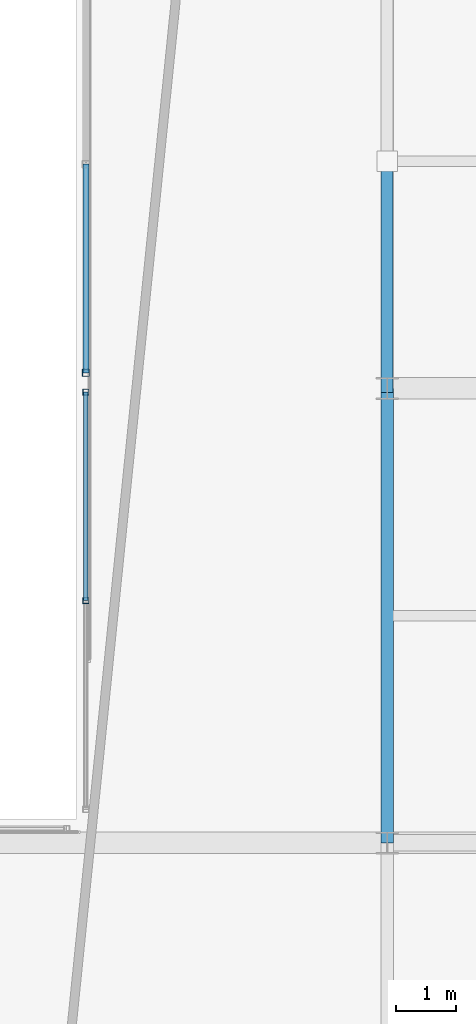
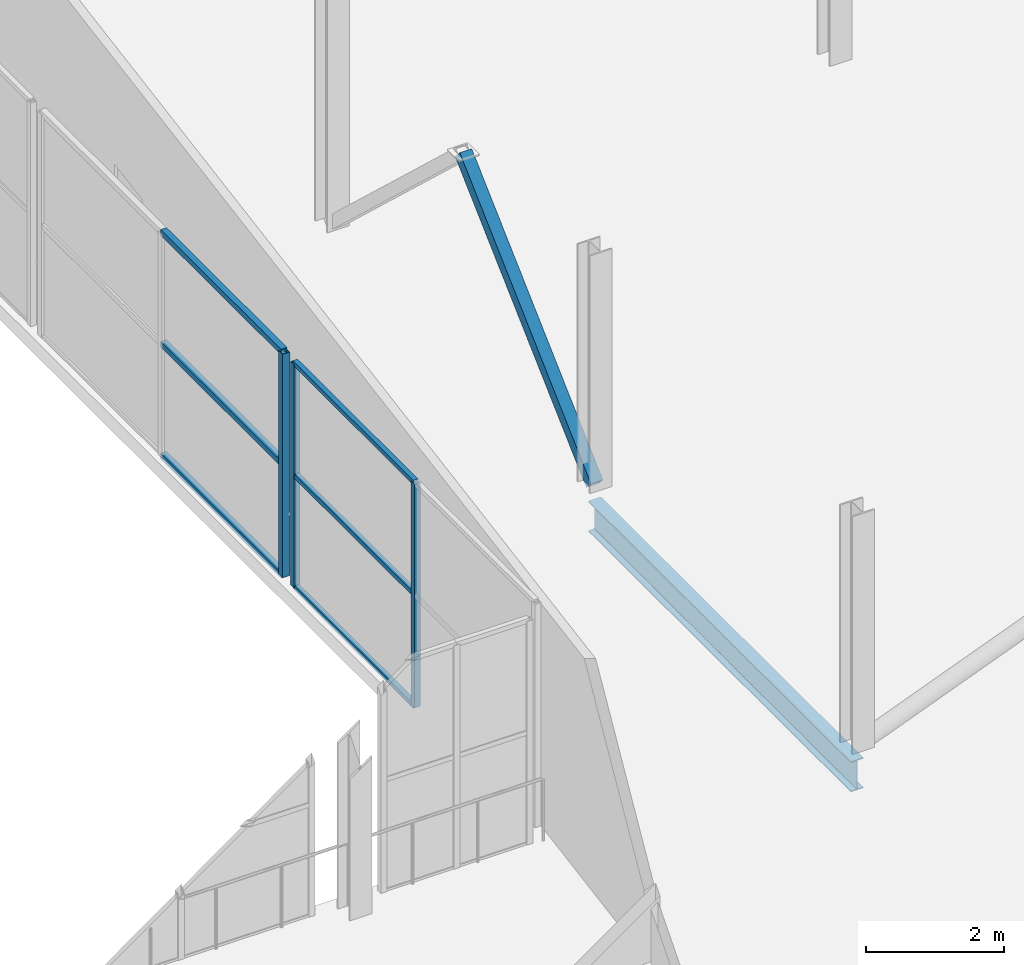
# One storey, part 145 of 217: 10 members, 1 beam, 2 elements without a shape of their own.
"""IFC4 building model written with IfcOpenShell, lengths in metres."""

from ifc_helpers import new_model, si_unit, direction, frame, origin, origin_2d, place, context, subcontext, project, spatial, hollow_rectangle, i_section, extrude, material, material_profile, profile_set, type_object, element, aggregate, save


model = new_model("IFC4")

# Units and contexts
model_context = context("Model", 3, precision=1e-05, world=origin(), true_north=direction((0.0, 1.0)))
body_context = subcontext(model_context, "Body", "Model", "MODEL_VIEW")
ifc_project = project(units=[si_unit("LENGTHUNIT", "METRE"), si_unit("AREAUNIT", "SQUARE_METRE"), si_unit("VOLUMEUNIT", "CUBIC_METRE"), si_unit("PLANEANGLEUNIT", "RADIAN"), si_unit("MASSUNIT", "GRAM", prefix="KILO")], contexts=[model_context])

# Site, building, storey
site_placement = place(None, origin())
site = spatial("IfcSite", under=ifc_project, at=site_placement, CompositionType="ELEMENT")
building_placement = place(site_placement, origin())
building = spatial("IfcBuilding", under=site, at=building_placement, Name="Zuvorla Pavilion Media Centre", CompositionType="ELEMENT")
storey_placement = place(building_placement, frame((0.0, 0.0, 9.60009765625)))
storey = spatial("IfcBuildingStorey", under=building, at=storey_placement, Name="L02", CompositionType="ELEMENT", Elevation=9.60009765625)

# Beam
ifc_material_1 = material(Name="Steel S355", Category="steel")
ifc_material_profile_1 = material_profile(ifc_material_1, i_section(OverallWidth=0.2099609375, OverallDepth=0.53662109375, WebThickness=0.0107421875, FlangeThickness=0.017333984375, FilletRadius=0.0126953125, at=origin_2d()), Name="UB 533x210x101")
ifc_profile_set_1 = profile_set([ifc_material_profile_1], Name="Steel S355")
beam_type = type_object("IfcBeamType", Name="BM-UB533", PredefinedType="BEAM", material=ifc_profile_set_1)
beam_placement = place(storey_placement, frame((159.199951171875, 51.60009765625, -0.536376953125), z_axis=(0.0, 1.0, 0.0), x_axis=(-1.0, 0.0, 0.0)))
element("IfcBeam", 1, at=beam_placement, inside=storey, type_object=beam_type, Name="L02 beam B08 972", PredefinedType="BEAM", context=body_context, shape_type="SweptSolid", body=[
    extrude(i_section(OverallWidth=0.2099609375, OverallDepth=0.53662109375, WebThickness=0.0107421875, FlangeThickness=0.017333984375, FilletRadius=0.0126953125, at=origin_2d()), origin(), (0.0, 0.0, 1.0), 7.599853515625),
])

# Curtain wall, members
ifc_material_2 = material(Name="Unitised anodised aluminium and solar glass curtain wall", Category="aluminium")
curtain_wall_type_1 = type_object("IfcCurtainWallType", Name="CW-SYS-24", PredefinedType="USERDEFINED", material=ifc_material_2)
curtain_wall_1_placement = place(storey_placement, origin())
curtain_wall_1 = element("IfcCurtainWall", 2, at=curtain_wall_1_placement, inside=storey, type_object=curtain_wall_type_1, Name="L02 curtain wall CW24 88", ObjectType="CURTAIN WALL", PredefinedType="USERDEFINED")
ifc_material_3 = material(Name="Anodised aluminium 6063-T6", Category="aluminium")
ifc_material_profile_2 = material_profile(ifc_material_3, hollow_rectangle(XDim=0.10009765625, YDim=0.10009765625, WallThickness=0.00439453125, at=origin_2d()), Name="ALU MULL 100x100")
ifc_profile_set_2 = profile_set([ifc_material_profile_2], Name="Anodised aluminium 6063-T6")
member_type_1 = type_object("IfcMemberType", Name="CW-MULL-100", PredefinedType="MULLION", material=ifc_profile_set_2)
member_1_placement = place(storey_placement, frame((154.159912109375, 55.64990234375, 0.0), z_axis=(0.0, 0.0, 1.0), x_axis=(1.0, 0.0, 0.0)))
member_1 = element("IfcMember", 3, at=member_1_placement, type_object=member_type_1, Name="CW24 mullion 2", PredefinedType="MULLION", context=body_context, shape_type="SweptSolid", body=[
    extrude(hollow_rectangle(XDim=0.10009765625, YDim=0.10009765625, WallThickness=0.00439453125, at=origin_2d()), origin(), (0.0, 0.0, 1.0), 3.949951171875),
])
member_2_placement = place(storey_placement, frame((154.159912109375, 59.139892578125, 0.0), z_axis=(0.0, 0.0, 1.0), x_axis=(1.0, 0.0, 0.0)))
member_2 = element("IfcMember", 4, at=member_2_placement, type_object=member_type_1, Name="CW24 mullion 3", PredefinedType="MULLION", context=body_context, shape_type="SweptSolid", body=[
    extrude(hollow_rectangle(XDim=0.10009765625, YDim=0.10009765625, WallThickness=0.00439453125, at=origin_2d()), origin(), (0.0, 0.0, 1.0), 3.949951171875),
])

curtain_wall_type_2 = type_object("IfcCurtainWallType", Name="CW-SYS-58", PredefinedType="USERDEFINED", material=ifc_material_2)
curtain_wall_2_placement = place(storey_placement, origin())
curtain_wall_2 = element("IfcCurtainWall", 5, at=curtain_wall_2_placement, inside=storey, type_object=curtain_wall_type_2, Name="L02 curtain wall CW58 90", ObjectType="CURTAIN WALL", PredefinedType="USERDEFINED")
ifc_material_profile_3 = material_profile(ifc_material_3, hollow_rectangle(XDim=0.1201171875, YDim=0.1201171875, WallThickness=0.0048828125, at=origin_2d()), Name="ALU MULL 120x120")
ifc_profile_set_3 = profile_set([ifc_material_profile_3], Name="Anodised aluminium 6063-T6")
member_type_2 = type_object("IfcMemberType", Name="CW-MULL-120", PredefinedType="MULLION", material=ifc_profile_set_3)
member_3_placement = place(storey_placement, frame((154.159912109375, 59.4599609375, 0.0), z_axis=(0.0, 0.0, 1.0), x_axis=(1.0, 0.0, 0.0)))
member_3 = element("IfcMember", 6, at=member_3_placement, type_object=member_type_2, Name="CW58 mullion 1", PredefinedType="MULLION", context=body_context, shape_type="SweptSolid", body=[
    extrude(hollow_rectangle(XDim=0.1201171875, YDim=0.1201171875, WallThickness=0.0048828125, at=origin_2d()), origin(), (0.0, 0.0, 1.0), 3.949951171875),
])
ifc_material_profile_4 = material_profile(ifc_material_3, hollow_rectangle(XDim=0.10009765625, YDim=0.10009765625, WallThickness=0.00439453125, at=origin_2d()), Name="ALU TRAN 100x100")
ifc_profile_set_4 = profile_set([ifc_material_profile_4], Name="Anodised aluminium 6063-T6")
member_type_3 = type_object("IfcMemberType", Name="CW-TRAN-100", PredefinedType="USERDEFINED", material=ifc_profile_set_4)
member_4_placement = place(storey_placement, frame((154.159912109375, 59.4599609375, 0.0), z_axis=(0.0, 1.0, 0.0), x_axis=(-1.0, 0.0, 0.0)))
member_4 = element("IfcMember", 7, at=member_4_placement, type_object=member_type_3, Name="CW58 transom 1.1", ObjectType="TRANSOM", PredefinedType="USERDEFINED", context=body_context, shape_type="SweptSolid", body=[
    extrude(hollow_rectangle(XDim=0.10009765625, YDim=0.10009765625, WallThickness=0.00439453125, at=origin_2d()), origin(), (0.0, 0.0, 1.0), 3.489990234375),
])
member_5_placement = place(storey_placement, frame((154.159912109375, 59.4599609375, 1.974853515625), z_axis=(0.0, 1.0, 0.0), x_axis=(-1.0, 0.0, 0.0)))
member_5 = element("IfcMember", 8, at=member_5_placement, type_object=member_type_3, Name="CW58 transom 1.2", ObjectType="TRANSOM", PredefinedType="USERDEFINED", context=body_context, shape_type="SweptSolid", body=[
    extrude(hollow_rectangle(XDim=0.10009765625, YDim=0.10009765625, WallThickness=0.00439453125, at=origin_2d()), origin(), (0.0, 0.0, 1.0), 3.489990234375),
])
member_6_placement = place(storey_placement, frame((154.159912109375, 59.4599609375, 3.949951171875), z_axis=(0.0, 1.0, 0.0), x_axis=(-1.0, 0.0, 0.0)))
member_6 = element("IfcMember", 9, at=member_6_placement, type_object=member_type_3, Name="CW58 transom 1.3", ObjectType="TRANSOM", PredefinedType="USERDEFINED", context=body_context, shape_type="SweptSolid", body=[
    extrude(hollow_rectangle(XDim=0.10009765625, YDim=0.10009765625, WallThickness=0.00439453125, at=origin_2d()), origin(), (0.0, 0.0, 1.0), 3.489990234375),
])
aggregate(curtain_wall_2, [member_3, member_4, member_5, member_6])

# Member
ifc_material_profile_5 = material_profile(ifc_material_3, hollow_rectangle(XDim=0.080078125, YDim=0.080078125, WallThickness=0.00390625, at=origin_2d()), Name="ALU TRAN 80x80")
ifc_profile_set_5 = profile_set([ifc_material_profile_5], Name="Anodised aluminium 6063-T6")
member_type_4 = type_object("IfcMemberType", Name="CW-TRAN-80", PredefinedType="USERDEFINED", material=ifc_profile_set_5)
member_7_placement = place(storey_placement, frame((154.159912109375, 55.64990234375, 0.0), z_axis=(0.0, 1.0, 0.0), x_axis=(-1.0, 0.0, 0.0)))
member_7 = element("IfcMember", 10, at=member_7_placement, type_object=member_type_4, Name="CW24 transom 2.1", ObjectType="TRANSOM", PredefinedType="USERDEFINED", context=body_context, shape_type="SweptSolid", body=[
    extrude(hollow_rectangle(XDim=0.080078125, YDim=0.080078125, WallThickness=0.00390625, at=origin_2d()), origin(), (0.0, 0.0, 1.0), 3.489990234375),
])

member_8_placement = place(storey_placement, frame((154.159912109375, 55.64990234375, 1.974853515625), z_axis=(0.0, 1.0, 0.0), x_axis=(-1.0, 0.0, 0.0)))
member_8 = element("IfcMember", 11, at=member_8_placement, type_object=member_type_4, Name="CW24 transom 2.2", ObjectType="TRANSOM", PredefinedType="USERDEFINED", context=body_context, shape_type="SweptSolid", body=[
    extrude(hollow_rectangle(XDim=0.080078125, YDim=0.080078125, WallThickness=0.00390625, at=origin_2d()), origin(), (0.0, 0.0, 1.0), 3.489990234375),
])

member_9_placement = place(storey_placement, frame((154.159912109375, 55.64990234375, 3.949951171875), z_axis=(0.0, 1.0, 0.0), x_axis=(-1.0, 0.0, 0.0)))
member_9 = element("IfcMember", 12, at=member_9_placement, type_object=member_type_4, Name="CW24 transom 2.3", ObjectType="TRANSOM", PredefinedType="USERDEFINED", context=body_context, shape_type="SweptSolid", body=[
    extrude(hollow_rectangle(XDim=0.080078125, YDim=0.080078125, WallThickness=0.00390625, at=origin_2d()), origin(), (0.0, 0.0, 1.0), 3.489990234375),
])

aggregate(curtain_wall_1, [member_1, member_2, member_7, member_8, member_9])

ifc_material_profile_6 = material_profile(ifc_material_1, hollow_rectangle(XDim=0.199951171875, YDim=0.199951171875, WallThickness=0.010009765625, at=origin_2d()), Name="SHS 200x200x10")
ifc_profile_set_6 = profile_set([ifc_material_profile_6], Name="Steel S355")
member_type_5 = type_object("IfcMemberType", Name="MEM-BRC-SHS200", PredefinedType="BRACE", material=ifc_profile_set_6)
member_10_placement = place(storey_placement, frame((159.199951171875, 59.199951171875, 0.0), z_axis=(0.0, 0.730758562833, 0.682636010511), x_axis=(-1.0, 0.0, 0.0)))
element("IfcMember", 13, at=member_10_placement, inside=storey, type_object=member_type_5, Name="L02 diagonal brace BF01 853", PredefinedType="BRACE", context=body_context, shape_type="SweptSolid", body=[
    extrude(hollow_rectangle(XDim=0.199951171875, YDim=0.199951171875, WallThickness=0.010009765625, at=origin_2d()), origin(), (0.0, 0.0, 1.0), 5.2001953125),
])

save(model, "model.ifc")
